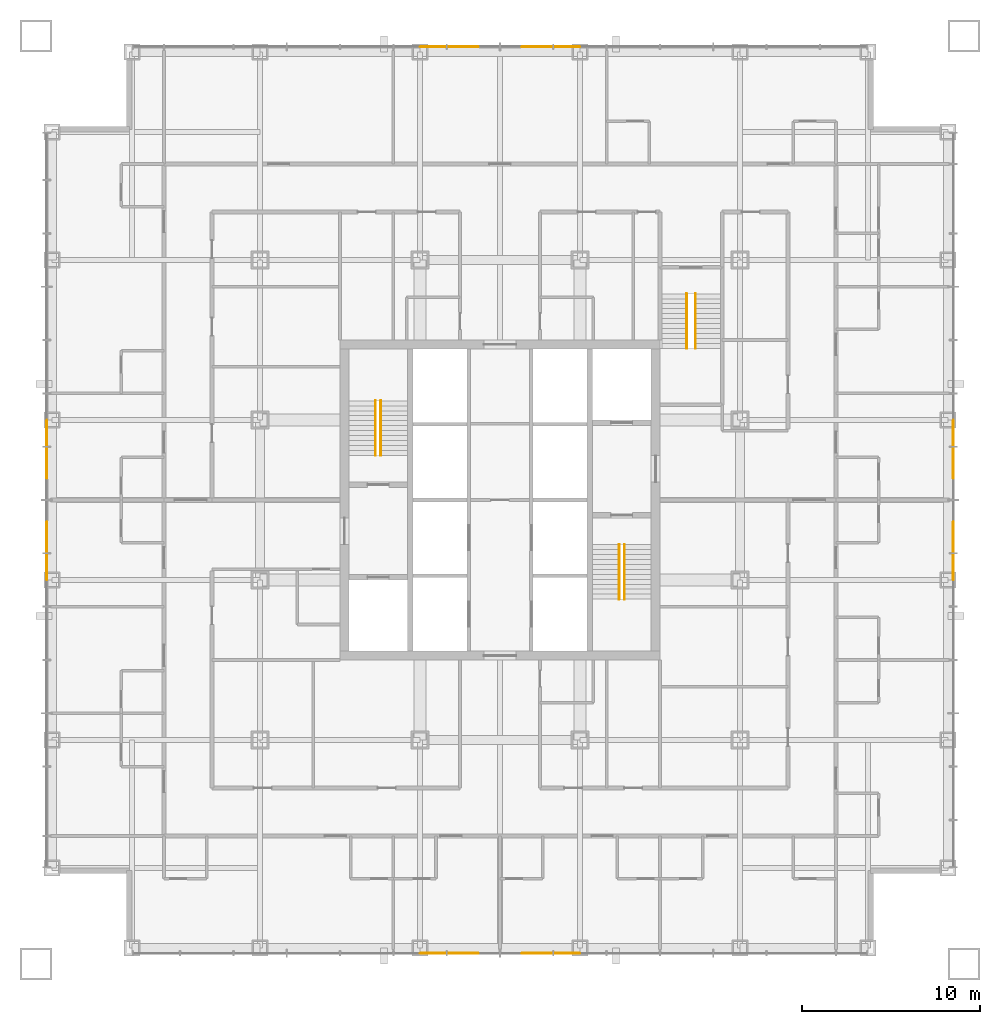
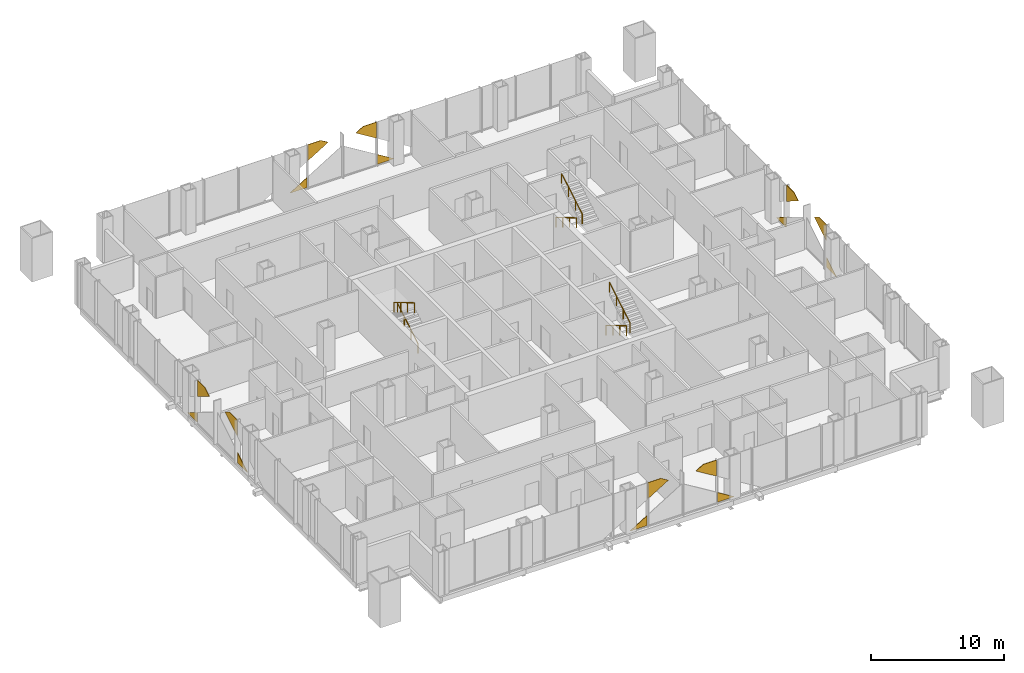
# One storey, part 13 of 13: 16 coverings, 6 railings.
"""IFC4 building model written with IfcOpenShell, lengths in metres."""

import ifcopenshell
import ifcopenshell.guid

model = None  # the IFC model being written
_history = None  # IfcOwnerHistory: only IFC2X3 demands one
_inside = {}  # id of a spatial element -> (the spatial element, [elements in it])
_under = {}  # id of a project, library or spatial element -> (it, [spatial elements below it])
_declared = {}  # id of a project -> (the project, [libraries it declares])
_typed = {}  # id of a type object -> (the type object, [elements of that type])
_made_of = {}  # id of a material, layer set ... -> (it, [elements and type objects made of it])


def new_model(schema):
    """Start an empty IFC model of exactly this schema.

    Asked for "IFC4X3", IfcOpenShell would pick the latest addendum, in which some entities
    have other attributes; the version numbers below select the first issue.
    IFC2X3 requires an IfcOwnerHistory on every rooted entity: one is made here for all.
    """
    global model, _history
    if schema == "IFC4X3":
        model = ifcopenshell.file(schema_version=(4, 3, 0, 0))
    else:
        model = ifcopenshell.file(schema=schema)
    _inside.clear()
    _under.clear()
    _declared.clear()
    _typed.clear()
    _made_of.clear()
    _history = None
    if model.schema == "IFC2X3":
        org = make("IfcOrganization", Name="unknown")
        user = make(
            "IfcPersonAndOrganization",
            ThePerson=make("IfcPerson", FamilyName="unknown"),
            TheOrganization=org,
        )
        app = make(
            "IfcApplication",
            ApplicationDeveloper=org,
            Version="unknown",
            ApplicationFullName="unknown",
            ApplicationIdentifier="unknown",
        )
        _history = make(
            "IfcOwnerHistory",
            OwningUser=user,
            OwningApplication=app,
            ChangeAction="ADDED",
            CreationDate=0,
        )
    return model


def make(cls, **values):
    """One entity of the class cls with the attributes given. An attribute that is None is left unset."""
    return model.create_entity(
        cls, **{name: value for name, value in values.items() if value is not None}
    )


def rooted(cls, **values):
    """An entity with a GlobalId (a new one), such as an element, a storey or a relation."""
    return make(cls, GlobalId=ifcopenshell.guid.new(), OwnerHistory=_history, **values)


def si_unit(unit_type, name, prefix=None):
    """IfcSIUnit, for example si_unit("LENGTHUNIT", "METRE", prefix="MILLI")."""
    return make("IfcSIUnit", UnitType=unit_type, Prefix=prefix, Name=name)


def assignment(units):
    """IfcUnitAssignment: the units of a project."""
    return None if units is None else make("IfcUnitAssignment", Units=units)


def point(xyz):
    """IfcCartesianPoint."""
    return None if xyz is None else make("IfcCartesianPoint", Coordinates=xyz)


def direction(xyz):
    """IfcDirection."""
    return None if xyz is None else make("IfcDirection", DirectionRatios=xyz)


def frame(location, z_axis=None, x_axis=None):
    """IfcAxis2Placement3D, a coordinate frame: its origin and axes. An axis left out is left unset."""
    return make(
        "IfcAxis2Placement3D",
        Location=point(location),
        Axis=direction(z_axis),
        RefDirection=direction(x_axis),
    )


def frame_2d(location, x_axis=None):
    """IfcAxis2Placement2D, a coordinate frame in the plane: its origin and x axis."""
    return make(
        "IfcAxis2Placement2D", Location=point(location), RefDirection=direction(x_axis)
    )


def origin():
    """The frame at (0, 0, 0) with its axes left unset."""
    return frame((0.0, 0.0, 0.0))


def origin_2d():
    """The frame at (0, 0) in the plane with its x axis left unset."""
    return frame_2d((0.0, 0.0))


def place(relative_to, where):
    """IfcLocalPlacement: puts the frame where relative to a parent placement (None: the world)."""
    return make(
        "IfcLocalPlacement", PlacementRelTo=relative_to, RelativePlacement=where
    )


def context(
    kind, dimensions, precision=None, world=None, true_north=None, identifier=None
):
    """IfcGeometricRepresentationContext, for example the 3D "Model" context."""
    return make(
        "IfcGeometricRepresentationContext",
        ContextIdentifier=identifier,
        ContextType=kind,
        CoordinateSpaceDimension=dimensions,
        Precision=precision,
        WorldCoordinateSystem=world,
        TrueNorth=true_north,
    )


def subcontext(parent, identifier, kind, view, scale=None):
    """IfcGeometricRepresentationSubContext, for example "Body" below "Model"."""
    return make(
        "IfcGeometricRepresentationSubContext",
        ContextIdentifier=identifier,
        ContextType=kind,
        ParentContext=parent,
        TargetScale=scale,
        TargetView=view,
    )


def project(units=None, contexts=None):
    """IfcProject with its units and contexts."""
    return rooted(
        "IfcProject",
        Name="project",
        RepresentationContexts=contexts,
        UnitsInContext=assignment(units),
    )


def spatial(cls, under=None, at=None, **own):
    """A site, building, storey or space (cls), placed at a placement, below another one or the project."""
    s = rooted(cls, ObjectPlacement=at, **own)
    if under is not None:
        _under.setdefault(under.id(), (under, []))[1].append(s)
    return s


def polyline(points):
    """IfcPolyline through the points."""
    return make("IfcPolyline", Points=[point(p) for p in points])


def profile(cls, at=None, kind="AREA", **sizes):
    """A parametric profile (cls). Its sizes go by their IFC names, for example OverallWidth=200.0."""
    return make(cls, ProfileType=kind, Position=at, **sizes)


def circle(**sizes):
    """IfcCircleProfileDef."""
    return profile("IfcCircleProfileDef", **sizes)


def outline(outer, holes=None, kind="AREA"):
    """IfcArbitraryClosedProfileDef: a profile drawn as a closed curve; with holes, ...WithVoids."""
    if holes is None:
        return make("IfcArbitraryClosedProfileDef", ProfileType=kind, OuterCurve=outer)
    return make(
        "IfcArbitraryProfileDefWithVoids",
        ProfileType=kind,
        OuterCurve=outer,
        InnerCurves=holes,
    )


def extrude(swept, where, along, depth):
    """IfcExtrudedAreaSolid: the profile swept, set in the frame where, extruded along a direction by depth."""
    return make(
        "IfcExtrudedAreaSolid",
        SweptArea=swept,
        Position=where,
        ExtrudedDirection=direction(along),
        Depth=depth,
    )


def shape(context_of_items, identifier, shape_type, items):
    """IfcShapeRepresentation: the items that make up one representation, for example the "Body"."""
    return make(
        "IfcShapeRepresentation",
        ContextOfItems=context_of_items,
        RepresentationIdentifier=identifier,
        RepresentationType=shape_type,
        Items=items,
    )


def material(Name=None, Category=None):
    """IfcMaterial."""
    return make("IfcMaterial", Name=Name, Category=Category)


def layer(
    of_material, thickness, ventilated=None, Name=None, Category=None, Priority=None
):
    """IfcMaterialLayer: one layer of a wall or slab, of a material (None: an air gap)."""
    return make(
        "IfcMaterialLayer",
        Material=of_material,
        LayerThickness=thickness,
        IsVentilated=ventilated,
        Name=Name,
        Category=Category,
        Priority=Priority,
    )


def layer_set(layers, Name=None):
    """IfcMaterialLayerSet."""
    return make("IfcMaterialLayerSet", MaterialLayers=layers, LayerSetName=Name)


def made_of(thing, what):
    """Note that an element or type object is made of a material, layer set ...; save() writes the relation."""
    if what is not None:
        _made_of.setdefault(what.id(), (what, []))[1].append(thing)
    return thing


def type_object(cls, material=None, **own):
    """A type object (cls), such as IfcWallType, which elements share."""
    return made_of(rooted(cls, **own), material)


def element(
    cls,
    number,
    at=None,
    inside=None,
    cuts=None,
    type_object=None,
    material=None,
    context=None,
    identifier="Body",
    shape_type=None,
    held_by="IfcProductDefinitionShape",
    body=None,
    shapes=None,
    **own,
):
    """One element of the class cls, such as IfcWall. Its Tag is "e" and its number.

    at: its placement. inside: the storey or other place that contains it. cuts: it is an
    opening in that element (IfcRelVoidsElement). A single representation is given by context,
    identifier, shape_type and body (its items); several are given by shapes. held_by: the class
    of the entity that holds the representations. save() writes the other relations.
    """
    e = rooted(cls, Tag="e%d" % number, ObjectPlacement=at, **own)
    if body is not None:
        shapes = [shape(context, identifier, shape_type, body)]
    if shapes is not None:
        e.Representation = make(held_by, Representations=shapes)
    if inside is not None:
        _inside.setdefault(inside.id(), (inside, []))[1].append(e)
    if cuts is not None:
        rooted(
            "IfcRelVoidsElement", RelatingBuildingElement=cuts, RelatedOpeningElement=e
        )
    if type_object is not None:
        _typed.setdefault(type_object.id(), (type_object, []))[1].append(e)
    return made_of(e, material)


def aggregate(whole, parts):
    """IfcRelAggregates: a whole, such as a stair, and the parts it consists of."""
    return rooted("IfcRelAggregates", RelatingObject=whole, RelatedObjects=parts)


def save(model, path):
    """Write the relations noted so far, then the file.

    IfcRelAggregates (storeys below a building ...), IfcRelContainedInSpatialStructure (elements
    in a storey), IfcRelDefinesByType, IfcRelAssociatesMaterial and IfcRelDeclares: one each for
    every whole, place, type object, material and project.
    """
    for whole, parts in _under.values():
        aggregate(whole, parts)
    for where, things in _inside.values():
        rooted(
            "IfcRelContainedInSpatialStructure",
            RelatedElements=things,
            RelatingStructure=where,
        )
    for kind, things in _typed.values():
        rooted("IfcRelDefinesByType", RelatedObjects=things, RelatingType=kind)
    for what, things in _made_of.values():
        rooted("IfcRelAssociatesMaterial", RelatedObjects=things, RelatingMaterial=what)
    for by, libraries in _declared.values():
        rooted("IfcRelDeclares", RelatingContext=by, RelatedDefinitions=libraries)
    model.write(path)


model = new_model("IFC4")

# Units and contexts
model_context = context("Model", 3, precision=1e-05, world=origin(), true_north=direction((0.0, 1.0)))
body_context = subcontext(model_context, "Body", "Model", "MODEL_VIEW")
ifc_project = project(units=[si_unit("LENGTHUNIT", "METRE"), si_unit("AREAUNIT", "SQUARE_METRE"), si_unit("VOLUMEUNIT", "CUBIC_METRE"), si_unit("PLANEANGLEUNIT", "RADIAN"), si_unit("MASSUNIT", "GRAM", prefix="KILO")], contexts=[model_context])

# Site, building, storey
site_placement = place(None, origin())
site = spatial("IfcSite", under=ifc_project, at=site_placement, CompositionType="ELEMENT")
building_placement = place(site_placement, origin())
building = spatial("IfcBuilding", under=site, at=building_placement, Name="Malebo Sky Hospital", CompositionType="ELEMENT")
storey_placement = place(building_placement, frame((0.0, 0.0, 75.0)))
storey = spatial("IfcBuildingStorey", under=building, at=storey_placement, Name="L17", CompositionType="ELEMENT", Elevation=75.0)

# Coverings
ifc_material_1 = material(Name="Anodised aluminium, natural silver insulated infill panel", Category="aluminium")
ifc_layer = layer(ifc_material_1, 0.0400390625)
ifc_layer_set = layer_set([ifc_layer], Name="BRACE INFILL PANEL 40")
covering_type = type_object("IfcCoveringType", Name="BRACE INFILL PANEL 40", PredefinedType="CLADDING", material=ifc_layer_set)
covering_1_placement = place(storey_placement, frame((56.224853515625, 87.5, 0.10009765625), z_axis=(0.0, 0.0, 1.0), x_axis=(1.0, 0.0, 0.0)))
element("IfcCovering", 1, at=covering_1_placement, inside=storey, type_object=covering_type, Name="Brace infill panel 6.1", PredefinedType="CLADDING", context=body_context, shape_type="SweptSolid", body=[
    extrude(outline(polyline([(-0.737548828125, 0.0), (0.737548828125, 0.0), (0.737548828125, 0.904296875), (-0.737548828125, 0.0)])), frame((0.0, 0.02001953125, 0.0), z_axis=(0.0, -1.0, 0.0), x_axis=(1.0, 0.0, 0.0)), (0.0, 0.0, 1.0), 0.0400390625),
])
covering_2_placement = place(storey_placement, frame((57.92041015625, 87.5, 2.517578125), z_axis=(0.0, 0.0, 1.0), x_axis=(1.0, 0.0, 0.0)))
element("IfcCovering", 2, at=covering_2_placement, inside=storey, type_object=covering_type, Name="Brace infill panel 7.1", PredefinedType="CLADDING", context=body_context, shape_type="SweptSolid", body=[
    extrude(outline(polyline([(-0.8828125, 0.0), (0.8828125, 1.08251953125), (0.246826171875, 1.472412109375), (-0.8828125, 1.472412109375), (-0.8828125, 0.0)])), frame((0.0, 0.02001953125, 0.0), z_axis=(0.0, -1.0, 0.0), x_axis=(1.0, 0.0, 0.0)), (0.0, 0.0, 1.0), 0.0400390625),
])
covering_3_placement = place(storey_placement, frame((62.07958984375, 87.5, 2.517578125), z_axis=(0.0, 0.0, 1.0), x_axis=(1.0, 0.0, 0.0)))
element("IfcCovering", 3, at=covering_3_placement, inside=storey, type_object=covering_type, Name="Brace infill panel 8.1", PredefinedType="CLADDING", context=body_context, shape_type="SweptSolid", body=[
    extrude(outline(polyline([(0.8828125, 0.0), (0.8828125, 1.472412109375), (-0.246826171875, 1.472412109375), (-0.8828125, 1.08251953125), (0.8828125, 0.0)])), frame((0.0, 0.02001953125, 0.0), z_axis=(0.0, -1.0, 0.0), x_axis=(1.0, 0.0, 0.0)), (0.0, 0.0, 1.0), 0.0400390625),
])
covering_4_placement = place(storey_placement, frame((63.775146484375, 87.5, 0.10009765625), z_axis=(0.0, 0.0, 1.0), x_axis=(1.0, 0.0, 0.0)))
element("IfcCovering", 4, at=covering_4_placement, inside=storey, type_object=covering_type, Name="Brace infill panel 9.1", PredefinedType="CLADDING", context=body_context, shape_type="SweptSolid", body=[
    extrude(outline(polyline([(-0.737548828125, 0.0), (0.737548828125, 0.0), (-0.737548828125, 0.904296875), (-0.737548828125, 0.0)])), frame((0.0, 0.02001953125, 0.0), z_axis=(0.0, -1.0, 0.0), x_axis=(1.0, 0.0, 0.0)), (0.0, 0.0, 1.0), 0.0400390625),
])
covering_5_placement = place(storey_placement, frame((34.5, 58.224853515625, 0.10009765625), z_axis=(0.0, 0.0, 1.0), x_axis=(0.0, 1.0, 0.0)))
element("IfcCovering", 5, at=covering_5_placement, inside=storey, type_object=covering_type, Name="Brace infill panel 6.1", PredefinedType="CLADDING", context=body_context, shape_type="SweptSolid", body=[
    extrude(outline(polyline([(-0.737548828125, 0.0), (0.737548828125, 0.0), (0.737548828125, 0.904296875), (-0.737548828125, 0.0)])), frame((0.0, 0.02001953125, 0.0), z_axis=(0.0, -1.0, 0.0), x_axis=(1.0, 0.0, 0.0)), (0.0, 0.0, 1.0), 0.0400390625),
])
covering_6_placement = place(storey_placement, frame((34.5, 59.92041015625, 2.517578125), z_axis=(0.0, 0.0, 1.0), x_axis=(0.0, 1.0, 0.0)))
element("IfcCovering", 6, at=covering_6_placement, inside=storey, type_object=covering_type, Name="Brace infill panel 7.1", PredefinedType="CLADDING", context=body_context, shape_type="SweptSolid", body=[
    extrude(outline(polyline([(-0.8828125, 0.0), (0.8828125, 1.08251953125), (0.246826171875, 1.472412109375), (-0.8828125, 1.472412109375), (-0.8828125, 0.0)])), frame((0.0, 0.02001953125, 0.0), z_axis=(0.0, -1.0, 0.0), x_axis=(1.0, 0.0, 0.0)), (0.0, 0.0, 1.0), 0.0400390625),
])
covering_7_placement = place(storey_placement, frame((34.5, 64.07958984375, 2.517578125), z_axis=(0.0, 0.0, 1.0), x_axis=(0.0, 1.0, 0.0)))
element("IfcCovering", 7, at=covering_7_placement, inside=storey, type_object=covering_type, Name="Brace infill panel 8.1", PredefinedType="CLADDING", context=body_context, shape_type="SweptSolid", body=[
    extrude(outline(polyline([(0.8828125, 0.0), (0.8828125, 1.472412109375), (-0.246826171875, 1.472412109375), (-0.8828125, 1.08251953125), (0.8828125, 0.0)])), frame((0.0, 0.02001953125, 0.0), z_axis=(0.0, -1.0, 0.0), x_axis=(1.0, 0.0, 0.0)), (0.0, 0.0, 1.0), 0.0400390625),
])
covering_8_placement = place(storey_placement, frame((34.5, 65.775146484375, 0.10009765625), z_axis=(0.0, 0.0, 1.0), x_axis=(0.0, 1.0, 0.0)))
element("IfcCovering", 8, at=covering_8_placement, inside=storey, type_object=covering_type, Name="Brace infill panel 9.1", PredefinedType="CLADDING", context=body_context, shape_type="SweptSolid", body=[
    extrude(outline(polyline([(-0.737548828125, 0.0), (0.737548828125, 0.0), (-0.737548828125, 0.904296875), (-0.737548828125, 0.0)])), frame((0.0, 0.02001953125, 0.0), z_axis=(0.0, -1.0, 0.0), x_axis=(1.0, 0.0, 0.0)), (0.0, 0.0, 1.0), 0.0400390625),
])
covering_9_placement = place(storey_placement, frame((63.775146484375, 36.5, 0.10009765625), z_axis=(0.0, 0.0, 1.0), x_axis=(-1.0, 0.0, 0.0)))
element("IfcCovering", 9, at=covering_9_placement, inside=storey, type_object=covering_type, Name="Brace infill panel 6.1", PredefinedType="CLADDING", context=body_context, shape_type="SweptSolid", body=[
    extrude(outline(polyline([(-0.737548828125, 0.0), (0.737548828125, 0.0), (0.737548828125, 0.904296875), (-0.737548828125, 0.0)])), frame((0.0, 0.02001953125, 0.0), z_axis=(0.0, -1.0, 0.0), x_axis=(1.0, 0.0, 0.0)), (0.0, 0.0, 1.0), 0.0400390625),
])
covering_10_placement = place(storey_placement, frame((62.07958984375, 36.5, 2.517578125), z_axis=(0.0, 0.0, 1.0), x_axis=(-1.0, 0.0, 0.0)))
element("IfcCovering", 10, at=covering_10_placement, inside=storey, type_object=covering_type, Name="Brace infill panel 7.1", PredefinedType="CLADDING", context=body_context, shape_type="SweptSolid", body=[
    extrude(outline(polyline([(-0.8828125, 0.0), (0.8828125, 1.08251953125), (0.246826171875, 1.472412109375), (-0.8828125, 1.472412109375), (-0.8828125, 0.0)])), frame((0.0, 0.02001953125, 0.0), z_axis=(0.0, -1.0, 0.0), x_axis=(1.0, 0.0, 0.0)), (0.0, 0.0, 1.0), 0.0400390625),
])
covering_11_placement = place(storey_placement, frame((57.92041015625, 36.5, 2.517578125), z_axis=(0.0, 0.0, 1.0), x_axis=(-1.0, 0.0, 0.0)))
element("IfcCovering", 11, at=covering_11_placement, inside=storey, type_object=covering_type, Name="Brace infill panel 8.1", PredefinedType="CLADDING", context=body_context, shape_type="SweptSolid", body=[
    extrude(outline(polyline([(0.8828125, 0.0), (0.8828125, 1.472412109375), (-0.246826171875, 1.472412109375), (-0.8828125, 1.08251953125), (0.8828125, 0.0)])), frame((0.0, 0.02001953125, 0.0), z_axis=(0.0, -1.0, 0.0), x_axis=(1.0, 0.0, 0.0)), (0.0, 0.0, 1.0), 0.0400390625),
])
covering_12_placement = place(storey_placement, frame((56.224853515625, 36.5, 0.10009765625), z_axis=(0.0, 0.0, 1.0), x_axis=(-1.0, 0.0, 0.0)))
element("IfcCovering", 12, at=covering_12_placement, inside=storey, type_object=covering_type, Name="Brace infill panel 9.1", PredefinedType="CLADDING", context=body_context, shape_type="SweptSolid", body=[
    extrude(outline(polyline([(-0.737548828125, 0.0), (0.737548828125, 0.0), (-0.737548828125, 0.904296875), (-0.737548828125, 0.0)])), frame((0.0, 0.02001953125, 0.0), z_axis=(0.0, -1.0, 0.0), x_axis=(1.0, 0.0, 0.0)), (0.0, 0.0, 1.0), 0.0400390625),
])
covering_13_placement = place(storey_placement, frame((85.5, 65.775146484375, 0.10009765625), z_axis=(0.0, 0.0, 1.0), x_axis=(0.0, -1.0, 0.0)))
element("IfcCovering", 13, at=covering_13_placement, inside=storey, type_object=covering_type, Name="Brace infill panel 6.1", PredefinedType="CLADDING", context=body_context, shape_type="SweptSolid", body=[
    extrude(outline(polyline([(-0.737548828125, 0.0), (0.737548828125, 0.0), (0.737548828125, 0.904296875), (-0.737548828125, 0.0)])), frame((0.0, 0.02001953125, 0.0), z_axis=(0.0, -1.0, 0.0), x_axis=(1.0, 0.0, 0.0)), (0.0, 0.0, 1.0), 0.0400390625),
])
covering_14_placement = place(storey_placement, frame((85.5, 64.07958984375, 2.517578125), z_axis=(0.0, 0.0, 1.0), x_axis=(0.0, -1.0, 0.0)))
element("IfcCovering", 14, at=covering_14_placement, inside=storey, type_object=covering_type, Name="Brace infill panel 7.1", PredefinedType="CLADDING", context=body_context, shape_type="SweptSolid", body=[
    extrude(outline(polyline([(-0.8828125, 0.0), (0.8828125, 1.08251953125), (0.246826171875, 1.472412109375), (-0.8828125, 1.472412109375), (-0.8828125, 0.0)])), frame((0.0, 0.02001953125, 0.0), z_axis=(0.0, -1.0, 0.0), x_axis=(1.0, 0.0, 0.0)), (0.0, 0.0, 1.0), 0.0400390625),
])
covering_15_placement = place(storey_placement, frame((85.5, 59.92041015625, 2.517578125), z_axis=(0.0, 0.0, 1.0), x_axis=(0.0, -1.0, 0.0)))
element("IfcCovering", 15, at=covering_15_placement, inside=storey, type_object=covering_type, Name="Brace infill panel 8.1", PredefinedType="CLADDING", context=body_context, shape_type="SweptSolid", body=[
    extrude(outline(polyline([(0.8828125, 0.0), (0.8828125, 1.472412109375), (-0.246826171875, 1.472412109375), (-0.8828125, 1.08251953125), (0.8828125, 0.0)])), frame((0.0, 0.02001953125, 0.0), z_axis=(0.0, -1.0, 0.0), x_axis=(1.0, 0.0, 0.0)), (0.0, 0.0, 1.0), 0.0400390625),
])
covering_16_placement = place(storey_placement, frame((85.5, 58.224853515625, 0.10009765625), z_axis=(0.0, 0.0, 1.0), x_axis=(0.0, -1.0, 0.0)))
element("IfcCovering", 16, at=covering_16_placement, inside=storey, type_object=covering_type, Name="Brace infill panel 9.1", PredefinedType="CLADDING", context=body_context, shape_type="SweptSolid", body=[
    extrude(outline(polyline([(-0.737548828125, 0.0), (0.737548828125, 0.0), (-0.737548828125, 0.904296875), (-0.737548828125, 0.0)])), frame((0.0, 0.02001953125, 0.0), z_axis=(0.0, -1.0, 0.0), x_axis=(1.0, 0.0, 0.0)), (0.0, 0.0, 1.0), 0.0400390625),
])

# Railings
ifc_material_2 = material(Name="Stainless steel tube", Category="steel")
railing_type = type_object("IfcRailingType", Name="STAIR HANDRAIL 900", PredefinedType="HANDRAIL", material=ifc_material_2)
railing_1_placement = place(storey_placement, frame((53.300048828125, 64.5, 0.166748046875)))
element("IfcRailing", 17, at=railing_1_placement, inside=storey, type_object=railing_type, Name="Stair handrail S1 flight 1", PredefinedType="HANDRAIL", context=body_context, shape_type="SweptSolid", body=[
    extrude(circle(Radius=0.02392578125, at=origin_2d()), frame((0.0, 0.0, 0.8759765625), z_axis=(0.0, 0.859308565015, 0.511457515432), x_axis=(-1.0, 0.0, 0.0)), (0.0, 0.0, 1.0), 3.58447265625),
    extrude(circle(Radius=0.02099609375, at=origin_2d()), origin(), (0.0, 0.0, 1.0), 0.851806640625),
    extrude(circle(Radius=0.02099609375, at=origin_2d()), frame((0.0, 1.026611328125, 0.611083984375)), (0.0, 0.0, 1.0), 0.851806640625),
    extrude(circle(Radius=0.02099609375, at=origin_2d()), frame((0.0, 2.053466796875, 1.22216796875)), (0.0, 0.0, 1.0), 0.851806640625),
    extrude(circle(Radius=0.02099609375, at=origin_2d()), frame((0.0, 3.080078125, 1.833251953125)), (0.0, 0.0, 1.0), 0.851806640625),
])
for number, where, name in (
    (18, (53.0, 67.580078125, 2.166748046875), "Stair handrail S1 flight 2"),
    (19, (66.699951171875, 59.5, 0.166748046875), "Stair handrail S2 flight 1"),
):
    element("IfcRailing", number, at=place(storey_placement, frame(where)), inside=storey, type_object=railing_type, Name=name, PredefinedType="HANDRAIL", context=body_context, shape_type="SweptSolid", body=[
        extrude(circle(Radius=0.02392578125, at=origin_2d()), frame((0.0, 0.0, 0.8759765625), z_axis=(0.0, -0.859308565015, 0.511457515432), x_axis=(1.0, 0.0, 0.0)), (0.0, 0.0, 1.0), 3.58447265625),
        extrude(circle(Radius=0.02099609375, at=origin_2d()), origin(), (0.0, 0.0, 1.0), 0.851806640625),
        extrude(circle(Radius=0.02099609375, at=origin_2d()), frame((0.0, -1.026611328125, 0.611083984375)), (0.0, 0.0, 1.0), 0.851806640625),
        extrude(circle(Radius=0.02099609375, at=origin_2d()), frame((0.0, -2.053466796875, 1.22216796875)), (0.0, 0.0, 1.0), 0.851806640625),
        extrude(circle(Radius=0.02099609375, at=origin_2d()), frame((0.0, -3.080078125, 1.833251953125)), (0.0, 0.0, 1.0), 0.851806640625),
    ])
railing_2_placement = place(storey_placement, frame((67.0, 56.419921875, 2.166748046875)))
element("IfcRailing", 20, at=railing_2_placement, inside=storey, type_object=railing_type, Name="Stair handrail S2 flight 2", PredefinedType="HANDRAIL", context=body_context, shape_type="SweptSolid", body=[
    extrude(circle(Radius=0.02392578125, at=origin_2d()), frame((0.0, 0.0, 0.8759765625), z_axis=(0.0, 0.859308565015, 0.511457515432), x_axis=(-1.0, 0.0, 0.0)), (0.0, 0.0, 1.0), 3.58447265625),
    extrude(circle(Radius=0.02099609375, at=origin_2d()), origin(), (0.0, 0.0, 1.0), 0.851806640625),
    extrude(circle(Radius=0.02099609375, at=origin_2d()), frame((0.0, 1.026611328125, 0.611083984375)), (0.0, 0.0, 1.0), 0.851806640625),
    extrude(circle(Radius=0.02099609375, at=origin_2d()), frame((0.0, 2.053466796875, 1.22216796875)), (0.0, 0.0, 1.0), 0.851806640625),
    extrude(circle(Radius=0.02099609375, at=origin_2d()), frame((0.0, 3.080078125, 1.833251953125)), (0.0, 0.0, 1.0), 0.851806640625),
])
railing_3_placement = place(storey_placement, frame((70.5, 73.60009765625, 0.166748046875)))
element("IfcRailing", 21, at=railing_3_placement, inside=storey, type_object=railing_type, Name="Stair handrail S3 flight 1", PredefinedType="HANDRAIL", context=body_context, shape_type="SweptSolid", body=[
    extrude(circle(Radius=0.02392578125, at=origin_2d()), frame((0.0, 0.0, 0.8759765625), z_axis=(0.0, -0.859308565015, 0.511457515432), x_axis=(1.0, 0.0, 0.0)), (0.0, 0.0, 1.0), 3.58447265625),
    extrude(circle(Radius=0.02099609375, at=origin_2d()), origin(), (0.0, 0.0, 1.0), 0.851806640625),
    extrude(circle(Radius=0.02099609375, at=origin_2d()), frame((0.0, -1.026611328125, 0.611083984375)), (0.0, 0.0, 1.0), 0.851806640625),
    extrude(circle(Radius=0.02099609375, at=origin_2d()), frame((0.0, -2.053466796875, 1.22216796875)), (0.0, 0.0, 1.0), 0.851806640625),
    extrude(circle(Radius=0.02099609375, at=origin_2d()), frame((0.0, -3.080078125, 1.833251953125)), (0.0, 0.0, 1.0), 0.851806640625),
])
railing_4_placement = place(storey_placement, frame((71.0, 70.52001953125, 2.166748046875)))
element("IfcRailing", 22, at=railing_4_placement, inside=storey, type_object=railing_type, Name="Stair handrail S3 flight 2", PredefinedType="HANDRAIL", context=body_context, shape_type="SweptSolid", body=[
    extrude(circle(Radius=0.02392578125, at=origin_2d()), frame((0.0, 0.0, 0.8759765625), z_axis=(0.0, 0.859308565015, 0.511457515432), x_axis=(-1.0, 0.0, 0.0)), (0.0, 0.0, 1.0), 3.58447265625),
    extrude(circle(Radius=0.02099609375, at=origin_2d()), origin(), (0.0, 0.0, 1.0), 0.851806640625),
    extrude(circle(Radius=0.02099609375, at=origin_2d()), frame((0.0, 1.026611328125, 0.611083984375)), (0.0, 0.0, 1.0), 0.851806640625),
    extrude(circle(Radius=0.02099609375, at=origin_2d()), frame((0.0, 2.053466796875, 1.22216796875)), (0.0, 0.0, 1.0), 0.851806640625),
    extrude(circle(Radius=0.02099609375, at=origin_2d()), frame((0.0, 3.080078125, 1.833251953125)), (0.0, 0.0, 1.0), 0.851806640625),
])

save(model, "model.ifc")
